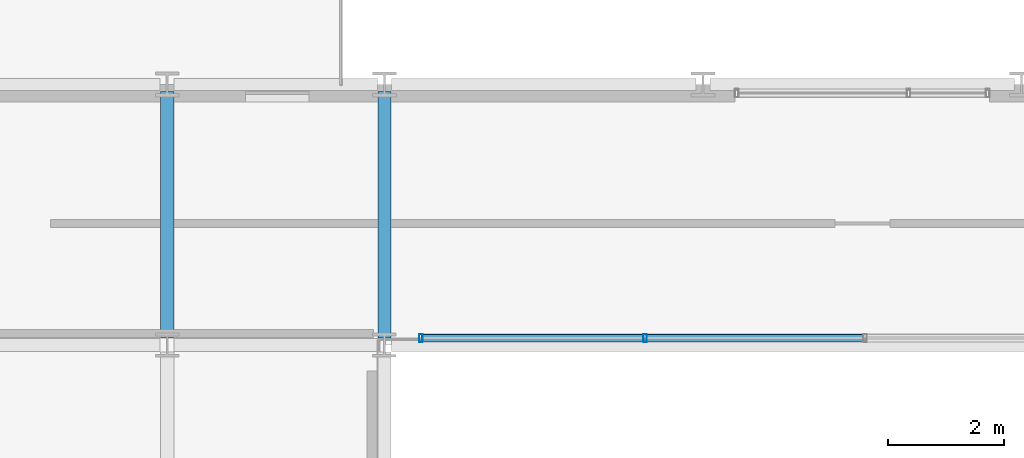
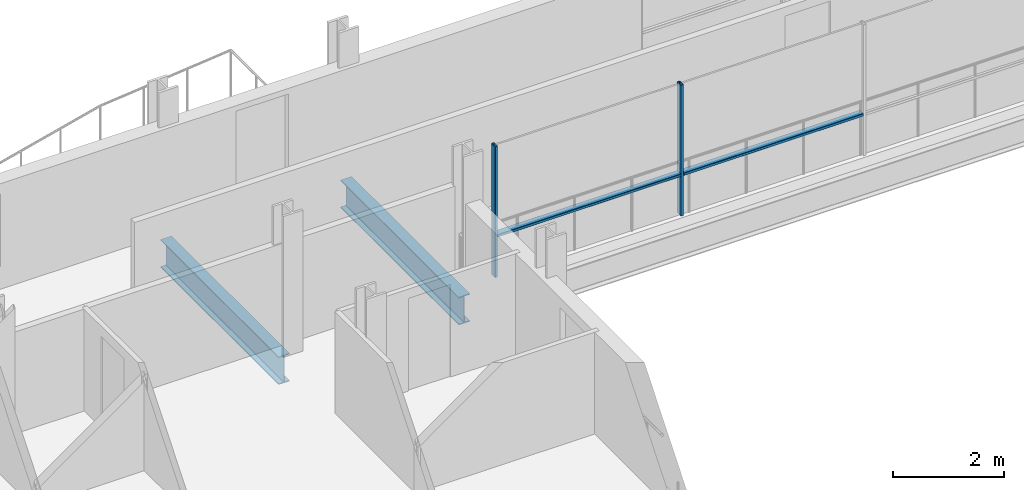
# One storey, part 9 of 40: 4 members, 2 beams, 1 element without a shape of its own.
"""IFC4 building model written with IfcOpenShell, lengths in metres."""

from ifc_helpers import new_model, si_unit, direction, frame, origin, origin_2d, place, context, subcontext, project, spatial, hollow_rectangle, i_section, extrude, material, layer, layer_set, material_profile, profile_set, type_object, element, aggregate, save


model = new_model("IFC4")

# Units and contexts
model_context = context("Model", 3, precision=1e-05, world=origin(), true_north=direction((0.0, 1.0)))
body_context = subcontext(model_context, "Body", "Model", "MODEL_VIEW")
ifc_project = project(units=[si_unit("LENGTHUNIT", "METRE"), si_unit("AREAUNIT", "SQUARE_METRE"), si_unit("VOLUMEUNIT", "CUBIC_METRE"), si_unit("PLANEANGLEUNIT", "RADIAN"), si_unit("MASSUNIT", "GRAM", prefix="KILO")], contexts=[model_context])

# Site, building, storey
site_placement = place(None, origin())
site = spatial("IfcSite", under=ifc_project, at=site_placement, CompositionType="ELEMENT")
building_placement = place(site_placement, origin())
building = spatial("IfcBuilding", under=site, at=building_placement, Name="Brevholm Reach", CompositionType="ELEMENT")
storey_placement = place(building_placement, frame((0.0, 0.0, 125.199951171875)))
storey = spatial("IfcBuildingStorey", under=building, at=storey_placement, Name="L37", CompositionType="ELEMENT", Elevation=125.199951171875)

# Beams
ifc_material_1 = material(Name="Structural Steel S355J2", Category="steel")
ifc_material_profile_1 = material_profile(ifc_material_1, i_section(OverallWidth=0.22900390625, OverallDepth=0.6123046875, WebThickness=0.011962890625, FlangeThickness=0.01953125, FilletRadius=0.0126953125, at=origin_2d()), Name="UKB 610x229x125")
ifc_profile_set_1 = profile_set([ifc_material_profile_1], Name="Structural Steel S355J2")
beam_type = type_object("IfcBeamType", Name="BM-SP610", PredefinedType="SPANDREL", material=ifc_profile_set_1)
for number, where, z_axis, x_axis, name in (
    (1, (18.0, 26.6201171875, -0.526123046875), (0.0, 1.0, 0.0), (-1.0, 0.0, 0.0), "L37 SP-01 Framing Beam"),
    (2, (21.75, 26.6201171875, -0.526123046875), (0.0, 1.0, 0.0), (-1.0, 0.0, 0.0), "L37 SP-01 Framing Beam"),
):
    element("IfcBeam", number, at=place(storey_placement, frame(where, z_axis=z_axis, x_axis=x_axis)), inside=storey, type_object=beam_type, Name=name, PredefinedType="SPANDREL", context=body_context, shape_type="SweptSolid", body=[
        extrude(i_section(OverallWidth=0.22900390625, OverallDepth=0.6123046875, WebThickness=0.011962890625, FlangeThickness=0.01953125, FilletRadius=0.0126953125, at=origin_2d()), origin(), (0.0, 0.0, 1.0), 4.259765625),
    ])

# Curtain wall, members
ifc_material_2 = material(Name="Dark Anodised Aluminium 6063-T6 and Solar-Control Glass", Category="aluminium")
ifc_layer = layer(ifc_material_2, 0.139892578125)
ifc_layer_set = layer_set([ifc_layer], Name="Dark Anodised Aluminium 6063-T6 and Solar-Control Glass")
curtain_wall_type = type_object("IfcCurtainWallType", Name="CW-02", PredefinedType="NOTDEFINED", material=ifc_layer_set)
curtain_wall_placement = place(storey_placement, origin())
curtain_wall = element("IfcCurtainWall", 3, at=curtain_wall_placement, inside=storey, type_object=curtain_wall_type, Name="L37 Curtain Wall CW-02", PredefinedType="NOTDEFINED")
ifc_material_3 = material(Name="Dark Anodised Aluminium 6063-T6", Category="aluminium")
ifc_material_profile_2 = material_profile(ifc_material_3, hollow_rectangle(XDim=0.06005859375, YDim=0.139892578125, WallThickness=0.0048828125, InnerFilletRadius=0.0048828125, OuterFilletRadius=0.010009765625, at=origin_2d()), Name="RHS 140x60x5")
ifc_profile_set_2 = profile_set([ifc_material_profile_2], Name="Dark Anodised Aluminium 6063-T6")
member_type_1 = type_object("IfcMemberType", Name="CWM-140", PredefinedType="MULLION", material=ifc_profile_set_2)
member_1_placement = place(storey_placement, frame((26.25, 26.6201171875, 0.0), z_axis=(0.0, 0.0, 1.0), x_axis=(-1.0, 0.0, 0.0)))
member_1 = element("IfcMember", 4, at=member_1_placement, type_object=member_type_1, Name="CM-140 Mullion 4", PredefinedType="MULLION", context=body_context, shape_type="SweptSolid", body=[
    extrude(hollow_rectangle(XDim=0.06005859375, YDim=0.139892578125, WallThickness=0.0048828125, InnerFilletRadius=0.0048828125, OuterFilletRadius=0.010009765625, at=origin_2d()), origin(), (0.0, 0.0, 1.0), 2.880126953125),
])
member_2_placement = place(storey_placement, frame((22.3798828125, 26.6201171875, 0.0), z_axis=(0.0, 0.0, 1.0), x_axis=(-1.0, 0.0, 0.0)))
member_2 = element("IfcMember", 5, at=member_2_placement, type_object=member_type_1, Name="CM-140 Mullion 5", PredefinedType="MULLION", context=body_context, shape_type="SweptSolid", body=[
    extrude(hollow_rectangle(XDim=0.06005859375, YDim=0.139892578125, WallThickness=0.0048828125, InnerFilletRadius=0.0048828125, OuterFilletRadius=0.010009765625, at=origin_2d()), origin(), (0.0, 0.0, 1.0), 2.880126953125),
])
ifc_material_4 = material(Name="Dark Anodised Aluminium 6063-T6", Category="aluminium")
ifc_material_profile_3 = material_profile(ifc_material_4, hollow_rectangle(XDim=0.06005859375, YDim=0.139892578125, WallThickness=0.0048828125, InnerFilletRadius=0.0048828125, OuterFilletRadius=0.010009765625, at=origin_2d()), Name="RHS 140x60x5")
ifc_profile_set_3 = profile_set([ifc_material_profile_3], Name="Dark Anodised Aluminium 6063-T6")
member_type_2 = type_object("IfcMemberType", Name="CWT-140", PredefinedType="NOTDEFINED", material=ifc_profile_set_3)
member_3_placement = place(storey_placement, frame((30.02001953125, 26.6201171875, 0.900146484375), z_axis=(-1.0, 0.0, 0.0), x_axis=(0.0, 0.0, 1.0)))
member_3 = element("IfcMember", 6, at=member_3_placement, type_object=member_type_2, Name="CT-140 Transom 3.1", ObjectType="TRANSOM", PredefinedType="USERDEFINED", context=body_context, shape_type="SweptSolid", body=[
    extrude(hollow_rectangle(XDim=0.06005859375, YDim=0.139892578125, WallThickness=0.0048828125, InnerFilletRadius=0.0048828125, OuterFilletRadius=0.010009765625, at=origin_2d()), origin(), (0.0, 0.0, 1.0), 3.739990234375),
])
member_4_placement = place(storey_placement, frame((26.219970703125, 26.6201171875, 0.900146484375), z_axis=(-1.0, 0.0, 0.0), x_axis=(0.0, 0.0, 1.0)))
member_4 = element("IfcMember", 7, at=member_4_placement, type_object=member_type_2, Name="CT-140 Transom 4.1", ObjectType="TRANSOM", PredefinedType="USERDEFINED", context=body_context, shape_type="SweptSolid", body=[
    extrude(hollow_rectangle(XDim=0.06005859375, YDim=0.139892578125, WallThickness=0.0048828125, InnerFilletRadius=0.0048828125, OuterFilletRadius=0.010009765625, at=origin_2d()), origin(), (0.0, 0.0, 1.0), 3.81005859375),
])
aggregate(curtain_wall, [member_1, member_2, member_3, member_4])

save(model, "model.ifc")
